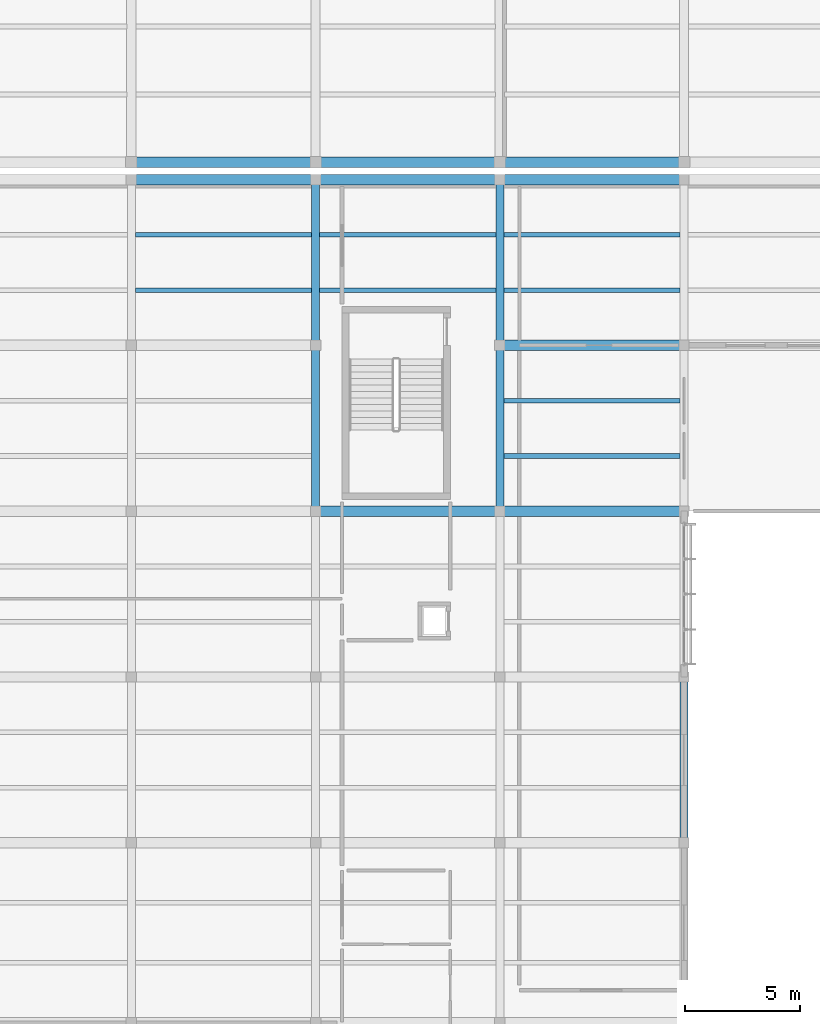
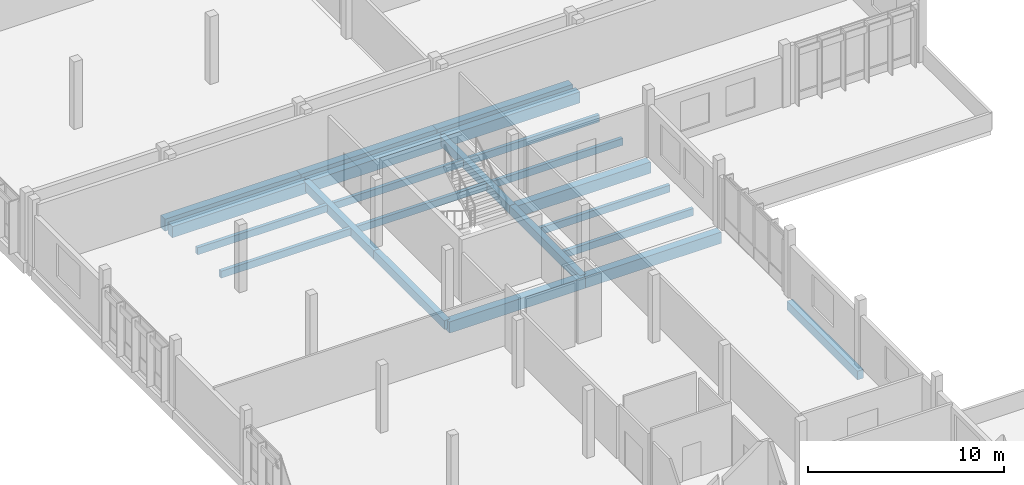
# One storey, part 73 of 182: 22 beams.
"""IFC4 building model written with IfcOpenShell, lengths in metres."""

from ifc_helpers import new_model, si_unit, direction, frame, origin, origin_2d, place, context, subcontext, project, spatial, rectangle, extrude, material, material_profile, profile_set, type_object, element, save


model = new_model("IFC4")

# Units and contexts
model_context = context("Model", 3, precision=1e-05, world=origin(), true_north=direction((0.0, 1.0)))
body_context = subcontext(model_context, "Body", "Model", "MODEL_VIEW")
ifc_project = project(units=[si_unit("LENGTHUNIT", "METRE"), si_unit("AREAUNIT", "SQUARE_METRE"), si_unit("VOLUMEUNIT", "CUBIC_METRE"), si_unit("PLANEANGLEUNIT", "RADIAN"), si_unit("MASSUNIT", "GRAM", prefix="KILO")], contexts=[model_context])

# Site, building, storey
site_placement = place(None, origin())
site = spatial("IfcSite", under=ifc_project, at=site_placement, CompositionType="ELEMENT")
building_placement = place(site_placement, origin())
building = spatial("IfcBuilding", under=site, at=building_placement, Name="Chiffa Square Polytechnic", CompositionType="ELEMENT")
storey_placement = place(building_placement, frame((0.0, 0.0, 9.60009765625)))
storey = spatial("IfcBuildingStorey", under=building, at=storey_placement, Name="L02", CompositionType="ELEMENT", Elevation=9.60009765625)

# Beams
ifc_material_1 = material(Name="Concrete C35/45", Category="concrete")
ifc_material_profile_1 = material_profile(ifc_material_1, rectangle(XDim=0.35009765625, YDim=0.550048828125, at=origin_2d()), Name="RC 350x550")
ifc_profile_set_1 = profile_set([ifc_material_profile_1], Name="Concrete C35/45")
beam_type_1 = type_object("IfcBeamType", Name="BM-RC-350X550", PredefinedType="BEAM", material=ifc_profile_set_1)
for number, where, z_axis, x_axis, name in (
    (1, (16.0, 79.800048828125, -0.59521484375), (0.0, 1.0, 0.0), (-1.0, 0.0, 0.0), "Primary floor girder BM-V6-L02-Y-0160-0798"),
    (2, (16.0, 87.0, -0.59521484375), (0.0, 1.0, 0.0), (-1.0, 0.0, 0.0), "Primary floor girder BM-V6-L02-Y-0160-0870"),
    (3, (24.0, 79.800048828125, -0.59521484375), (0.0, 1.0, 0.0), (-1.0, 0.0, 0.0), "Primary floor girder BM-V6-L02-Y-0240-0798"),
    (4, (24.0, 87.0, -0.59521484375), (0.0, 1.0, 0.0), (-1.0, 0.0, 0.0), "Primary floor girder BM-V6-L02-Y-0240-0870"),
):
    element("IfcBeam", number, at=place(storey_placement, frame(where, z_axis=z_axis, x_axis=x_axis)), inside=storey, type_object=beam_type_1, Name=name, PredefinedType="BEAM", context=body_context, shape_type="SweptSolid", body=[
        extrude(rectangle(XDim=0.35009765625, YDim=0.550048828125, at=origin_2d()), origin(), (0.0, 0.0, 1.0), 7.199951171875),
    ])
beam_placement = place(storey_placement, frame((32.0, 65.39990234375, -0.59521484375), z_axis=(0.0, 1.0, 0.0), x_axis=(-1.0, 0.0, 0.0)))
element("IfcBeam", 5, at=beam_placement, inside=storey, type_object=beam_type_1, Name="Primary floor girder BM-V6-L02-Y-0320-0654", PredefinedType="BEAM", context=body_context, shape_type="SweptSolid", body=[
    extrude(rectangle(XDim=0.35009765625, YDim=0.550048828125, at=origin_2d()), origin(), (0.0, 0.0, 1.0), 7.2001953125),
])
ifc_material_profile_2 = material_profile(ifc_material_1, rectangle(XDim=0.449951171875, YDim=0.699951171875, at=origin_2d()), Name="RC 450x700")
ifc_profile_set_2 = profile_set([ifc_material_profile_2], Name="Concrete C35/45")
beam_type_2 = type_object("IfcBeamType", Name="BM-RC-450X700", PredefinedType="BEAM", material=ifc_profile_set_2)
for number, where, z_axis, x_axis, name in (
    (6, (16.0, 79.800048828125, -0.670166015625), (1.0, 0.0, 0.0), (0.0, 1.0, 0.0), "Primary floor girder BM-V6-L02-X-0160-0798"),
    (7, (24.0, 79.800048828125, -0.670166015625), (1.0, 0.0, 0.0), (0.0, 1.0, 0.0), "Primary floor girder BM-V6-L02-X-0240-0798"),
    (8, (24.0, 87.0, -0.670166015625), (1.0, 0.0, 0.0), (0.0, 1.0, 0.0), "Primary floor girder BM-V6-L02-X-0240-0870"),
    (9, (8.0, 94.199951171875, -0.670166015625), (1.0, 0.0, 0.0), (0.0, 1.0, 0.0), "Primary floor girder BM-V6-L02-X-0080-0942"),
    (10, (16.0, 94.199951171875, -0.670166015625), (1.0, 0.0, 0.0), (0.0, 1.0, 0.0), "Primary floor girder BM-V6-L02-X-0160-0942"),
    (11, (24.0, 94.199951171875, -0.670166015625), (1.0, 0.0, 0.0), (0.0, 1.0, 0.0), "Primary floor girder BM-V6-L02-X-0240-0942"),
):
    element("IfcBeam", number, at=place(storey_placement, frame(where, z_axis=z_axis, x_axis=x_axis)), inside=storey, type_object=beam_type_2, Name=name, PredefinedType="BEAM", context=body_context, shape_type="SweptSolid", body=[
        extrude(rectangle(XDim=0.449951171875, YDim=0.699951171875, at=origin_2d()), origin(), (0.0, 0.0, 1.0), 8.0),
    ])
ifc_material_profile_3 = material_profile(ifc_material_1, rectangle(XDim=0.449951171875, YDim=0.75, at=origin_2d()), Name="RC 450x750")
ifc_profile_set_3 = profile_set([ifc_material_profile_3], Name="Concrete C35/45")
beam_type_3 = type_object("IfcBeamType", Name="BM-RC-450X750", PredefinedType="BEAM", material=ifc_profile_set_3)
for number, where, z_axis, x_axis, name in (
    (12, (8.0, 94.949951171875, -0.695068359375), (1.0, 0.0, 0.0), (0.0, 1.0, 0.0), "Primary floor girder BM-V5-L02-X-0080-0950"),
    (13, (16.0, 94.949951171875, -0.695068359375), (1.0, 0.0, 0.0), (0.0, 1.0, 0.0), "Primary floor girder BM-V5-L02-X-0160-0950"),
    (14, (24.0, 94.949951171875, -0.695068359375), (1.0, 0.0, 0.0), (0.0, 1.0, 0.0), "Primary floor girder BM-V5-L02-X-0240-0950"),
):
    element("IfcBeam", number, at=place(storey_placement, frame(where, z_axis=z_axis, x_axis=x_axis)), inside=storey, type_object=beam_type_3, Name=name, PredefinedType="BEAM", context=body_context, shape_type="SweptSolid", body=[
        extrude(rectangle(XDim=0.449951171875, YDim=0.75, at=origin_2d()), origin(), (0.0, 0.0, 1.0), 8.0),
    ])
ifc_material_2 = material(Name="Glulam GL28h", Category="wood")
ifc_material_profile_4 = material_profile(ifc_material_2, rectangle(XDim=0.199951171875, YDim=0.43994140625, at=origin_2d()), Name="GL28h 200x440")
ifc_profile_set_4 = profile_set([ifc_material_profile_4], Name="Glulam GL28h")
beam_type_4 = type_object("IfcBeamType", Name="JST-GL-200X440", PredefinedType="JOIST", material=ifc_profile_set_4)
for number, where, z_axis, x_axis, name in (
    (15, (8.173095703125, 89.39990234375, -0.5400390625), (1.0, 0.0, 0.0), (0.0, 1.0, 0.0), "Secondary floor joist JST-V6-L02-0080-0894"),
    (16, (8.173095703125, 91.800048828125, -0.5400390625), (1.0, 0.0, 0.0), (0.0, 1.0, 0.0), "Secondary floor joist JST-V6-L02-0080-0918"),
    (17, (16.173095703125, 89.39990234375, -0.5400390625), (1.0, 0.0, 0.0), (0.0, 1.0, 0.0), "Secondary floor joist JST-V6-L02-0160-0894"),
    (18, (16.173095703125, 91.800048828125, -0.5400390625), (1.0, 0.0, 0.0), (0.0, 1.0, 0.0), "Secondary floor joist JST-V6-L02-0160-0918"),
    (19, (24.173095703125, 82.199951171875, -0.5400390625), (1.0, 0.0, 0.0), (0.0, 1.0, 0.0), "Secondary floor joist JST-V6-L02-0240-0822"),
    (20, (24.173095703125, 84.60009765625, -0.5400390625), (1.0, 0.0, 0.0), (0.0, 1.0, 0.0), "Secondary floor joist JST-V6-L02-0240-0846"),
    (21, (24.173095703125, 89.39990234375, -0.5400390625), (1.0, 0.0, 0.0), (0.0, 1.0, 0.0), "Secondary floor joist JST-V6-L02-0240-0894"),
    (22, (24.173095703125, 91.800048828125, -0.5400390625), (1.0, 0.0, 0.0), (0.0, 1.0, 0.0), "Secondary floor joist JST-V6-L02-0240-0918"),
):
    element("IfcBeam", number, at=place(storey_placement, frame(where, z_axis=z_axis, x_axis=x_axis)), inside=storey, type_object=beam_type_4, Name=name, PredefinedType="JOIST", context=body_context, shape_type="SweptSolid", body=[
        extrude(rectangle(XDim=0.199951171875, YDim=0.43994140625, at=origin_2d()), origin(), (0.0, 0.0, 1.0), 7.65380859375),
    ])

save(model, "model.ifc")
